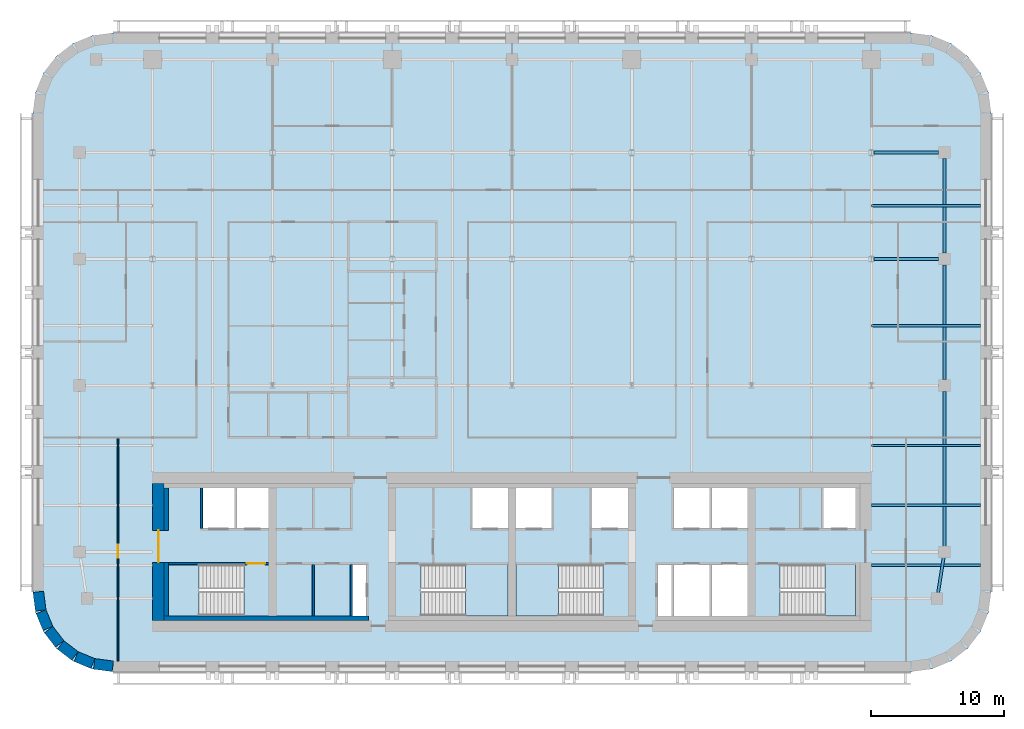
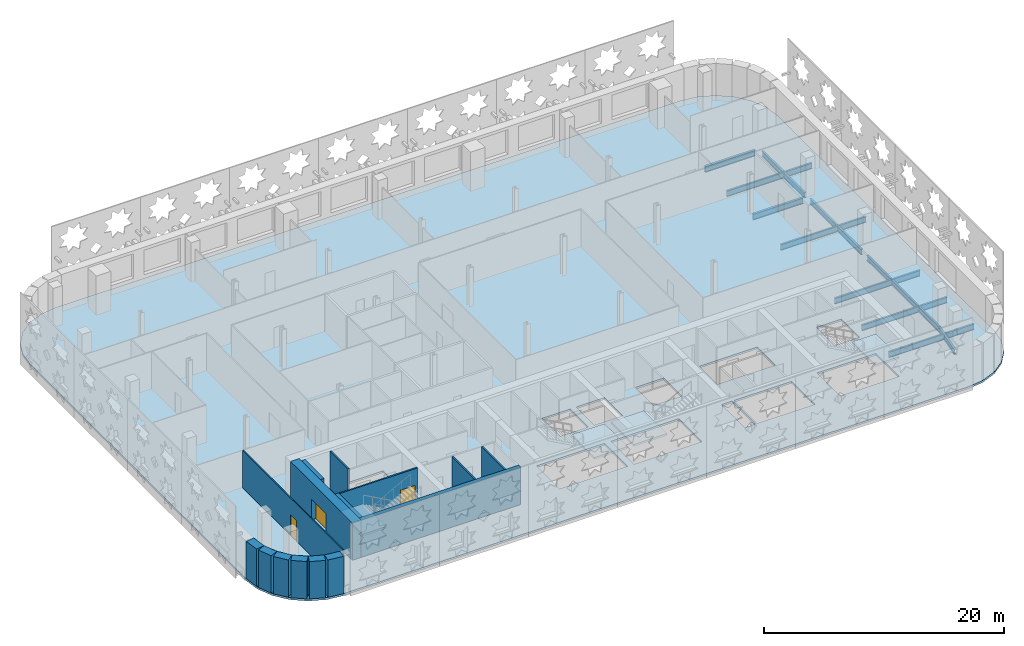
# One storey, part 2 of 13: 15 walls, 11 beams, 5 slabs, 3 doors, 3 openings, 4 elements without a shape of their own.
"""IFC4 building model written with IfcOpenShell, lengths in metres."""

from ifc_helpers import new_model, si_unit, direction, frame, frame_2d, origin, origin_2d, place, context, subcontext, project, spatial, polyline, rectangle, i_section, outline, extrude, material, layer, layer_set, material_profile, profile_set, type_object, element, fill, aggregate, save


model = new_model("IFC4")

# Units and contexts
model_context = context("Model", 3, precision=1e-05, world=origin(), true_north=direction((0.0, 1.0)))
body_context = subcontext(model_context, "Body", "Model", "MODEL_VIEW")
ifc_project = project(units=[si_unit("LENGTHUNIT", "METRE"), si_unit("AREAUNIT", "SQUARE_METRE"), si_unit("VOLUMEUNIT", "CUBIC_METRE"), si_unit("PLANEANGLEUNIT", "RADIAN"), si_unit("MASSUNIT", "GRAM", prefix="KILO")], contexts=[model_context])

# Site, building, storey
site_placement = place(None, origin())
site = spatial("IfcSite", under=ifc_project, at=site_placement, CompositionType="ELEMENT")
building_placement = place(site_placement, origin())
building = spatial("IfcBuilding", under=site, at=building_placement, Name="Zellij Exchange Tower", CompositionType="ELEMENT")
storey_placement = place(building_placement, frame((0.0, 0.0, 172.5)))
storey = spatial("IfcBuildingStorey", under=building, at=storey_placement, Name="L39", CompositionType="ELEMENT", Elevation=172.5)

# Beams
ifc_material_1 = material(Name="Structural steel ASTM A992 Gr 50", Category="steel")
ifc_material_profile_1 = material_profile(ifc_material_1, i_section(OverallWidth=0.177978515625, OverallDepth=0.599365234375, WebThickness=0.010009765625, FlangeThickness=0.012939453125, at=origin_2d()), Name="W24x55")
ifc_profile_set_1 = profile_set([ifc_material_profile_1], Name="Structural steel ASTM A992 Gr 50")
beam_type_1 = type_object("IfcBeamType", Name="STR-BEAM W24x55", PredefinedType="BEAM", material=ifc_profile_set_1)
for number, where, z_axis, x_axis, name in (
    (1, (27.0, -9.0, -0.499755859375), (1.0, 0.0, 0.0), (0.0, 1.0, 0.0), "B4"),
    (2, (27.0, -4.5, -0.499755859375), (1.0, 0.0, 0.0), (0.0, 1.0, 0.0), "B4"),
    (3, (27.0, 0.0, -0.499755859375), (1.0, 0.0, 0.0), (0.0, 1.0, 0.0), "B4"),
    (4, (27.0, 9.0, -0.499755859375), (1.0, 0.0, 0.0), (0.0, 1.0, 0.0), "B4"),
    (5, (27.0, 18.0, -0.499755859375), (1.0, 0.0, 0.0), (0.0, 1.0, 0.0), "B4"),
):
    element("IfcBeam", number, at=place(storey_placement, frame(where, z_axis=z_axis, x_axis=x_axis)), inside=storey, type_object=beam_type_1, Name=name, PredefinedType="BEAM", context=body_context, shape_type="SweptSolid", body=[
        extrude(i_section(OverallWidth=0.177978515625, OverallDepth=0.599365234375, WebThickness=0.010009765625, FlangeThickness=0.012939453125, at=origin_2d()), origin(), (0.0, 0.0, 1.0), 8.199951171875),
    ])
ifc_material_profile_2 = material_profile(ifc_material_1, i_section(OverallWidth=0.209228515625, OverallDepth=0.533447265625, WebThickness=0.01025390625, FlangeThickness=0.015625, at=origin_2d()), Name="W21x62")
ifc_profile_set_2 = profile_set([ifc_material_profile_2], Name="Structural steel ASTM A992 Gr 50")
beam_type_2 = type_object("IfcBeamType", Name="STR-EDGE GIRDER W21x62", PredefinedType="BEAM", material=ifc_profile_set_2)
beam_1_placement = place(storey_placement, frame((31.949951171875, -11.5, -0.466796875), z_axis=(0.155251283593, 0.987875011802, 0.0), x_axis=(-0.987875011802, 0.155251283593, 0.0)))
element("IfcBeam", 6, at=beam_1_placement, inside=storey, type_object=beam_type_2, Name="EB3", PredefinedType="BEAM", context=body_context, shape_type="SweptSolid", body=[
    extrude(i_section(OverallWidth=0.209228515625, OverallDepth=0.533447265625, WebThickness=0.01025390625, FlangeThickness=0.015625, at=origin_2d()), origin(), (0.0, 0.0, 1.0), 3.54296875),
])
beam_2_placement = place(storey_placement, frame((32.5, -8.0, -0.466796875), z_axis=(0.0, 1.0, 0.0), x_axis=(-1.0, 0.0, 0.0)))
element("IfcBeam", 7, at=beam_2_placement, inside=storey, type_object=beam_type_2, Name="EB3", PredefinedType="BEAM", context=body_context, shape_type="SweptSolid", body=[
    extrude(i_section(OverallWidth=0.209228515625, OverallDepth=0.533447265625, WebThickness=0.01025390625, FlangeThickness=0.015625, at=origin_2d()), origin(), (0.0, 0.0, 1.0), 12.050048828125),
])
beam_3_placement = place(storey_placement, frame((32.5, 4.949951171875, -0.466796875), z_axis=(0.0, 1.0, 0.0), x_axis=(-1.0, 0.0, 0.0)))
element("IfcBeam", 8, at=beam_3_placement, inside=storey, type_object=beam_type_2, Name="EB3", PredefinedType="BEAM", context=body_context, shape_type="SweptSolid", body=[
    extrude(i_section(OverallWidth=0.209228515625, OverallDepth=0.533447265625, WebThickness=0.01025390625, FlangeThickness=0.015625, at=origin_2d()), origin(), (0.0, 0.0, 1.0), 8.60009765625),
])
beam_4_placement = place(storey_placement, frame((32.5, 14.449951171875, -0.466796875), z_axis=(0.0, 1.0, 0.0), x_axis=(-1.0, 0.0, 0.0)))
element("IfcBeam", 9, at=beam_4_placement, inside=storey, type_object=beam_type_2, Name="EB3", PredefinedType="BEAM", context=body_context, shape_type="SweptSolid", body=[
    extrude(i_section(OverallWidth=0.209228515625, OverallDepth=0.533447265625, WebThickness=0.01025390625, FlangeThickness=0.015625, at=origin_2d()), origin(), (0.0, 0.0, 1.0), 7.10009765625),
])
ifc_material_profile_3 = material_profile(ifc_material_1, i_section(OverallWidth=0.228271484375, OverallDepth=0.607177734375, WebThickness=0.01123046875, FlangeThickness=0.017333984375, at=origin_2d()), Name="W24x76")
ifc_profile_set_3 = profile_set([ifc_material_profile_3], Name="Structural steel ASTM A992 Gr 50")
beam_type_3 = type_object("IfcBeamType", Name="STR-GIRDER W24x76", PredefinedType="BEAM", material=ifc_profile_set_3)
for number, where, z_axis, x_axis, name in (
    (10, (27.20458984375, 14.0, -0.50341796875), (1.0, 0.0, 0.0), (0.0, 1.0, 0.0), "G2"),
    (11, (27.20458984375, 22.0, -0.50341796875), (1.0, 0.0, 0.0), (0.0, 1.0, 0.0), "G2"),
):
    element("IfcBeam", number, at=place(storey_placement, frame(where, z_axis=z_axis, x_axis=x_axis)), inside=storey, type_object=beam_type_3, Name=name, PredefinedType="BEAM", context=body_context, shape_type="SweptSolid", body=[
        extrude(i_section(OverallWidth=0.228271484375, OverallDepth=0.607177734375, WebThickness=0.01123046875, FlangeThickness=0.017333984375, at=origin_2d()), origin(), (0.0, 0.0, 1.0), 4.845458984375),
    ])

# Stair, slab
ifc_material_2 = material(Name="Concrete C40/50", Category="concrete")
stair_type = type_object("IfcStairType", Name="CORE-ST exit stair 1850 wide", PredefinedType="HALF_TURN_STAIR", material=ifc_material_2)
stair_1_placement = place(storey_placement, origin())
stair_1 = element("IfcStair", 12, at=stair_1_placement, inside=storey, type_object=stair_type, Name="L39 exit stair ST1", PredefinedType="HALF_TURN_STAIR")
ifc_layer_1 = layer(ifc_material_2, 0.199951171875)
ifc_layer_set_1 = layer_set([ifc_layer_1], Name="Concrete C40/50")
slab_type_1 = type_object("IfcSlabType", Name="CORE-SL stair landing 200", PredefinedType="LANDING", material=ifc_layer_set_1)
slab_1_placement = place(storey_placement, frame((0.0, 0.0, 1.800048828125)))
slab_1 = element("IfcSlab", 13, at=slab_1_placement, type_object=slab_type_1, Name="ST1 landing 1", PredefinedType="LANDING", context=body_context, shape_type="SweptSolid", body=[
    extrude(outline(polyline([(-23.510009765625, -8.949951171875), (-25.800048828125, -8.949951171875), (-25.800048828125, -12.800048828125), (-23.510009765625, -12.800048828125), (-23.510009765625, -8.949951171875)])), origin(), (0.0, 0.0, 1.0), 0.199951171875),
])
aggregate(stair_1, [slab_1])

stair_2_placement = place(storey_placement, origin())
stair_2 = element("IfcStair", 14, at=stair_2_placement, inside=storey, type_object=stair_type, Name="L39 exit stair ST2", PredefinedType="HALF_TURN_STAIR")
slab_2_placement = place(storey_placement, frame((0.0, 0.0, 1.800048828125)))
slab_2 = element("IfcSlab", 15, at=slab_2_placement, type_object=slab_type_1, Name="ST2 landing 1", PredefinedType="LANDING", context=body_context, shape_type="SweptSolid", body=[
    extrude(outline(polyline([(-3.489990234375, -12.800048828125), (-0.300048828125, -12.800048828125), (-0.300048828125, -8.949951171875), (-3.489990234375, -8.949951171875), (-3.489990234375, -12.800048828125)])), origin(), (0.0, 0.0, 1.0), 0.199951171875),
])
aggregate(stair_2, [slab_2])

stair_3_placement = place(storey_placement, origin())
stair_3 = element("IfcStair", 16, at=stair_3_placement, inside=storey, type_object=stair_type, Name="L39 exit stair ST3", PredefinedType="HALF_TURN_STAIR")
slab_3_placement = place(storey_placement, frame((0.0, 0.0, 1.800048828125)))
slab_3 = element("IfcSlab", 17, at=slab_3_placement, type_object=slab_type_1, Name="ST3 landing 1", PredefinedType="LANDING", context=body_context, shape_type="SweptSolid", body=[
    extrude(outline(polyline([(3.489990234375, -8.949951171875), (0.300048828125, -8.949951171875), (0.300048828125, -12.800048828125), (3.489990234375, -12.800048828125), (3.489990234375, -8.949951171875)])), origin(), (0.0, 0.0, 1.0), 0.199951171875),
])
aggregate(stair_3, [slab_3])

stair_4_placement = place(storey_placement, origin())
stair_4 = element("IfcStair", 18, at=stair_4_placement, inside=storey, type_object=stair_type, Name="L39 exit stair ST4", PredefinedType="HALF_TURN_STAIR")
slab_4_placement = place(storey_placement, frame((0.0, 0.0, 1.800048828125)))
slab_4 = element("IfcSlab", 19, at=slab_4_placement, type_object=slab_type_1, Name="ST4 landing 1", PredefinedType="LANDING", context=body_context, shape_type="SweptSolid", body=[
    extrude(outline(polyline([(23.510009765625, -12.800048828125), (25.800048828125, -12.800048828125), (25.800048828125, -8.949951171875), (23.510009765625, -8.949951171875), (23.510009765625, -12.800048828125)])), origin(), (0.0, 0.0, 1.0), 0.199951171875),
])
aggregate(stair_4, [slab_4])

# Slab
ifc_layer_2 = layer(ifc_material_2, 0.199951171875)
ifc_layer_set_2 = layer_set([ifc_layer_2], Name="Concrete C40/50")
slab_type_2 = type_object("IfcSlabType", Name="STR-FLOOR SLAB 200 C40/50", PredefinedType="FLOOR", material=ifc_layer_set_2)
slab_5_placement = place(storey_placement, frame((0.0, 0.0, -0.2001953125)))
element("IfcSlab", 20, at=slab_5_placement, inside=storey, type_object=slab_type_2, Name="Floor L39", PredefinedType="FLOOR", context=body_context, shape_type="SweptSolid", body=[
    extrude(outline(polyline([(-30.0, -17.0), (-31.552978515625, -16.795654296875), (-33.0, -16.1962890625), (-34.24267578125, -15.24267578125), (-35.1962890625, -14.0), (-35.795654296875, -12.552978515625), (-36.0, -11.0), (-36.0, 25.0), (-35.795654296875, 26.552978515625), (-35.1962890625, 28.0), (-34.24267578125, 29.24267578125), (-33.0, 30.1962890625), (-31.552978515625, 30.795654296875), (-30.0, 31.0), (30.0, 31.0), (31.552978515625, 30.795654296875), (33.0, 30.1962890625), (34.24267578125, 29.24267578125), (35.1962890625, 28.0), (35.795654296875, 26.552978515625), (36.0, 25.0), (36.0, -11.0), (35.795654296875, -12.552978515625), (35.1962890625, -14.0), (34.24267578125, -15.24267578125), (33.0, -16.1962890625), (31.552978515625, -16.795654296875), (30.0, -17.0), (-30.0, -17.0)]), holes=[polyline([(-25.800048828125, -8.949951171875), (-25.800048828125, -12.800048828125), (-20.153076171875, -12.800048828125), (-20.153076171875, -8.949951171875), (-25.800048828125, -8.949951171875)]), polyline([(-10.949951171875, -8.949951171875), (-12.0, -8.949951171875), (-12.0, -12.800048828125), (-10.949951171875, -12.800048828125), (-10.949951171875, -8.949951171875)]), polyline([(-0.300048828125, -8.949951171875), (-6.846923828125, -8.949951171875), (-6.846923828125, -12.800048828125), (-0.300048828125, -12.800048828125), (-0.300048828125, -8.949951171875)]), polyline([(0.300048828125, -8.949951171875), (0.300048828125, -12.800048828125), (6.846923828125, -12.800048828125), (6.846923828125, -8.949951171875), (0.300048828125, -8.949951171875)]), polyline([(-18.300048828125, -3.199951171875), (-23.25, -3.199951171875), (-23.25, -6.22509765625), (-18.300048828125, -6.22509765625), (-18.300048828125, -3.199951171875)]), polyline([(-0.300048828125, -3.199951171875), (-3.0, -3.199951171875), (-3.0, -6.22509765625), (-0.300048828125, -6.22509765625), (-0.300048828125, -3.199951171875)]), polyline([(0.300048828125, -3.199951171875), (0.300048828125, -6.22509765625), (3.0, -6.22509765625), (3.0, -3.199951171875), (0.300048828125, -3.199951171875)]), polyline([(12.0, -8.949951171875), (10.949951171875, -8.949951171875), (10.949951171875, -12.800048828125), (12.0, -12.800048828125), (12.0, -8.949951171875)]), polyline([(17.699951171875, -8.949951171875), (12.14990234375, -8.949951171875), (12.14990234375, -12.800048828125), (17.699951171875, -12.800048828125), (17.699951171875, -8.949951171875)]), polyline([(25.800048828125, -8.949951171875), (20.153076171875, -8.949951171875), (20.153076171875, -12.800048828125), (25.800048828125, -12.800048828125), (25.800048828125, -8.949951171875)]), polyline([(8.699951171875, -3.199951171875), (6.0, -3.199951171875), (6.0, -6.22509765625), (8.699951171875, -6.22509765625), (8.699951171875, -3.199951171875)]), polyline([(17.699951171875, -3.199951171875), (12.14990234375, -3.199951171875), (12.14990234375, -6.22509765625), (17.699951171875, -6.22509765625), (17.699951171875, -3.199951171875)]), polyline([(25.800048828125, -3.199951171875), (23.39990234375, -3.199951171875), (23.39990234375, -6.22509765625), (25.800048828125, -6.22509765625), (25.800048828125, -3.199951171875)])]), origin(), (0.0, 0.0, 1.0), 0.2001953125),
])

# Walls
ifc_material_3 = material(Name="Concrete C30/37", Category="concrete")
ifc_layer_3 = layer(ifc_material_3, 0.35009765625)
ifc_layer_set_3 = layer_set([ifc_layer_3], Name="Concrete C30/37")
wall_type_1 = type_object("IfcWallType", Name="CORE-LW 350 C30/37", PredefinedType="SHEAR", material=ifc_layer_set_3)
wall_1_placement = place(storey_placement, frame((-26.14990234375, -12.97509765625, 0.0), z_axis=(0.0, 0.0, 1.0), x_axis=(1.0, 0.0, 0.0)))
element("IfcWall", 21, at=wall_1_placement, inside=storey, type_object=wall_type_1, Name="Core wall lining rear.0 L39", PredefinedType="SHEAR", context=body_context, shape_type="SweptSolid", body=[
    extrude(rectangle(XDim=15.349853515625, YDim=0.35009765625, at=frame_2d((7.6748046875, 0.0))), origin(), (0.0, 0.0, 1.0), 3.800048828125),
])
wall_2_placement = place(storey_placement, frame((-25.97509765625, -12.800048828125, 0.0), z_axis=(0.0, 0.0, 1.0), x_axis=(0.0, 1.0, 0.0)))
element("IfcWall", 22, at=wall_2_placement, inside=storey, type_object=wall_type_1, Name="Core wall lining end w.0 L39", PredefinedType="SHEAR", context=body_context, shape_type="SweptSolid", body=[
    extrude(rectangle(XDim=4.0, YDim=0.35009765625, at=frame_2d((2.0, 0.0))), origin(), (0.0, 0.0, 1.0), 3.800048828125),
])
wall_3_placement = place(storey_placement, frame((-25.97509765625, -6.375, 0.0), z_axis=(0.0, 0.0, 1.0), x_axis=(0.0, 1.0, 0.0)))
element("IfcWall", 23, at=wall_3_placement, inside=storey, type_object=wall_type_1, Name="Core wall lining end w.1 L39", PredefinedType="SHEAR", context=body_context, shape_type="SweptSolid", body=[
    extrude(rectangle(XDim=3.175048828125, YDim=0.35009765625, at=frame_2d((1.58740234375, 0.0))), origin(), (0.0, 0.0, 1.0), 3.800048828125),
])
ifc_material_4 = material(Name="Gypsum board partition")
ifc_layer_4 = layer(ifc_material_4, 0.14990234375)
ifc_layer_set_4 = layer_set([ifc_layer_4], Name="Gypsum board partition")
wall_type_2 = type_object("IfcWallType", Name="CORE-PW 150 Lift lobby wall", PredefinedType="PARTITIONING", material=ifc_layer_set_4)
for number, where, z_axis, x_axis, name in (
    (24, (-12.074951171875, -12.800048828125, 0.0), (0.0, 0.0, 1.0), (0.0, 1.0, 0.0), "Lift lobby wall L39"),
    (25, (-14.925048828125, -12.800048828125, 0.0), (0.0, 0.0, 1.0), (0.0, 1.0, 0.0), "Lift lobby wall L39"),
):
    element("IfcWall", number, at=place(storey_placement, frame(where, z_axis=z_axis, x_axis=x_axis)), inside=storey, type_object=wall_type_2, Name=name, PredefinedType="PARTITIONING", context=body_context, shape_type="SweptSolid", body=[
        extrude(rectangle(XDim=3.85009765625, YDim=0.14990234375, at=frame_2d((1.925048828125, 0.0))), origin(), (0.0, 0.0, 1.0), 3.800048828125),
    ])
ifc_material_5 = material(Name="Gypsum shaft wall system")
ifc_layer_5 = layer(ifc_material_5, 0.14990234375)
ifc_layer_set_5 = layer_set([ifc_layer_5], Name="Gypsum shaft wall system")
wall_type_3 = type_object("IfcWallType", Name="CORE-PW 150 Lift shaft wall", PredefinedType="PARTITIONING", material=ifc_layer_set_5)
wall_4_placement = place(storey_placement, frame((-23.324951171875, -6.22509765625, 0.0), z_axis=(0.0, 0.0, 1.0), x_axis=(0.0, 1.0, 0.0)))
element("IfcWall", 26, at=wall_4_placement, inside=storey, type_object=wall_type_3, Name="Lift shaft wall L39", PredefinedType="PARTITIONING", context=body_context, shape_type="SweptSolid", body=[
    extrude(rectangle(XDim=3.025146484375, YDim=0.14990234375, at=frame_2d((1.5126953125, 0.0))), origin(), (0.0, 0.0, 1.0), 3.800048828125),
])

# Wall, opening, door
ifc_material_6 = material(Name="Concrete C60/75", Category="concrete")
ifc_layer_6 = layer(ifc_material_6, 0.85009765625)
ifc_layer_set_6 = layer_set([ifc_layer_6], Name="Concrete C60/75")
wall_type_4 = type_object("IfcWallType", Name="CORE-SW 850 C60/75", PredefinedType="SHEAR", material=ifc_layer_set_6)
wall_5_placement = place(storey_placement, frame((-26.574951171875, -13.14990234375, 0.0), z_axis=(0.0, 0.0, 1.0), x_axis=(0.0, 1.0, 0.0)))
wall_5 = element("IfcWall", 27, at=wall_5_placement, inside=storey, type_object=wall_type_4, Name="Core shear wall end w L39", PredefinedType="SHEAR", context=body_context, shape_type="SweptSolid", body=[
    extrude(rectangle(XDim=10.2998046875, YDim=0.85009765625, at=frame_2d((5.14990234375, 0.0))), origin(), (0.0, 0.0, 1.0), 3.800048828125),
])
opening_1_placement = place(wall_5_placement, frame((4.362060546875, 0.0, 0.0)))
opening_1 = element("IfcOpeningElement", 28, at=opening_1_placement, cuts=wall_5, Name="Opening CA-22.01", PredefinedType="OPENING", context=body_context, shape_type="SweptSolid", body=[
    extrude(rectangle(XDim=2.39990234375, YDim=2.10009765625, at=frame_2d((1.199951171875, 1.050048828125))), frame((0.0, 0.43701171875, 0.0), z_axis=(0.0, -1.0, 0.0), x_axis=(1.0, 0.0, 0.0)), (0.0, 0.0, 1.0), 0.8740234375),
])
ifc_material_7 = material(Name="Hollow metal fire door")
door_type_1 = type_object("IfcDoorType", Name="CORE-D CE Core entrance door 2400x2100 20 MIN", OperationType="NOTDEFINED", PredefinedType="DOOR", material=ifc_material_7)
door_1_placement = place(opening_1_placement, origin())
door_1 = element("IfcDoor", 29, at=door_1_placement, inside=storey, type_object=door_type_1, Name="Core entrance door CA-22.01", OperationType="DOUBLE_DOOR_SINGLE_SWING", OverallHeight=2.10009765625, OverallWidth=2.39990234375, PredefinedType="DOOR", context=body_context, shape_type="SweptSolid", body=[
    extrude(rectangle(XDim=2.39990234375, YDim=2.10009765625, at=frame_2d((1.199951171875, 1.050048828125))), frame((0.0, 0.02490234375, 0.0), z_axis=(0.0, -1.0, 0.0), x_axis=(1.0, 0.0, 0.0)), (0.0, 0.0, 1.0), 0.050048828125),
])
fill(opening_1, door_1)

ifc_layer_7 = layer(ifc_material_6, 0.14990234375)
ifc_layer_set_7 = layer_set([ifc_layer_7], Name="Concrete C60/75")
wall_type_5 = type_object("IfcWallType", Name="CORE-SWS 150 C60/75", PredefinedType="SHEAR", material=ifc_layer_set_7)
wall_6_placement = place(storey_placement, frame((-25.800048828125, -8.875, 0.0), z_axis=(0.0, 0.0, 1.0), x_axis=(1.0, 0.0, 0.0)))
wall_6 = element("IfcWall", 30, at=wall_6_placement, inside=storey, type_object=wall_type_5, Name="Stair enclosure wall L39", PredefinedType="SHEAR", context=body_context, shape_type="SweptSolid", body=[
    extrude(rectangle(XDim=7.5, YDim=0.14990234375, at=frame_2d((3.75, 0.0))), origin(), (0.0, 0.0, 1.0), 3.800048828125),
])
opening_2_placement = place(wall_6_placement, frame((5.875, 0.0, 0.0)))
opening_2 = element("IfcOpeningElement", 31, at=opening_2_placement, cuts=wall_6, Name="Opening CA-22.04", PredefinedType="OPENING", context=body_context, shape_type="SweptSolid", body=[
    extrude(rectangle(XDim=1.39990234375, YDim=2.10009765625, at=frame_2d((0.699951171875, 1.050048828125))), frame((0.0, 0.0869140625, 0.0), z_axis=(0.0, -1.0, 0.0), x_axis=(1.0, 0.0, 0.0)), (0.0, 0.0, 1.0), 0.173828125),
])
door_type_2 = type_object("IfcDoorType", Name="CORE-D SD Stair door 1400x2100 1.5 HR", OperationType="NOTDEFINED", PredefinedType="DOOR", material=ifc_material_7)
door_2_placement = place(opening_2_placement, origin())
door_2 = element("IfcDoor", 32, at=door_2_placement, inside=storey, type_object=door_type_2, Name="Stair door CA-22.04", OperationType="DOUBLE_DOOR_SINGLE_SWING", OverallHeight=2.10009765625, OverallWidth=1.39990234375, PredefinedType="DOOR", context=body_context, shape_type="SweptSolid", body=[
    extrude(rectangle(XDim=1.39990234375, YDim=2.10009765625, at=frame_2d((0.699951171875, 1.050048828125))), frame((0.0, 0.02490234375, 0.0), z_axis=(0.0, -1.0, 0.0), x_axis=(1.0, 0.0, 0.0)), (0.0, 0.0, 1.0), 0.050048828125),
])
fill(opening_2, door_2)

# Walls
ifc_material_8 = material(Name="Precast concrete C40/50", Category="concrete")
ifc_layer_8 = layer(ifc_material_8, 0.800048828125)
ifc_layer_set_8 = layer_set([ifc_layer_8], Name="Precast concrete C40/50")
wall_type_6 = type_object("IfcWallType", Name="ENV-EW1 Precast stone-piered wall 800", PredefinedType="SOLIDWALL", material=ifc_layer_set_8)
wall_7_placement = place(storey_placement, frame((-35.5966796875, -10.999755859375, 0.0), z_axis=(0.0, 0.0, 1.0), x_axis=(0.130517283865, -0.99144603414, 0.0)))
element("IfcWall", 33, at=wall_7_placement, inside=storey, type_object=wall_type_6, Name="fac.L39.22", PredefinedType="SOLIDWALL", context=body_context, shape_type="SweptSolid", body=[
    extrude(rectangle(XDim=1.408447265625, YDim=0.800048828125, at=frame_2d((0.7041015625, 0.0))), origin(), (0.0, 0.0, 1.0), 3.800048828125),
])
wall_8_placement = place(storey_placement, frame((-35.3857421875, -12.497314453125, 0.0), z_axis=(0.0, 0.0, 1.0), x_axis=(0.38276009378, -0.923847774587, 0.0)))
element("IfcWall", 34, at=wall_8_placement, inside=storey, type_object=wall_type_6, Name="fac.L39.23", PredefinedType="SOLIDWALL", context=body_context, shape_type="SweptSolid", body=[
    extrude(rectangle(XDim=1.35546875, YDim=0.800048828125, at=frame_2d((0.677734375, 0.0))), origin(), (0.0, 0.0, 1.0), 3.800048828125),
])
for number, where, z_axis, x_axis, name in (
    (35, (-34.814697265625, -13.840087890625, 0.0), (0.0, 0.0, 1.0), (0.608866226366, -0.793272915452, 0.0), "fac.L39.24"),
    (36, (-33.91552734375, -14.9892578125, 0.0), (0.0, 0.0, 1.0), (0.793272915452, -0.608866226366, 0.0), "fac.L39.25"),
):
    element("IfcWall", number, at=place(storey_placement, frame(where, z_axis=z_axis, x_axis=x_axis)), inside=storey, type_object=wall_type_6, Name=name, PredefinedType="SOLIDWALL", context=body_context, shape_type="SweptSolid", body=[
        extrude(rectangle(XDim=1.355712890625, YDim=0.800048828125, at=frame_2d((0.677734375, 0.0))), origin(), (0.0, 0.0, 1.0), 3.800048828125),
    ])
wall_9_placement = place(storey_placement, frame((-32.74951171875, -15.866943359375, 0.0), z_axis=(0.0, 0.0, 1.0), x_axis=(0.923847774587, -0.38276009378, 0.0)))
element("IfcWall", 37, at=wall_9_placement, inside=storey, type_object=wall_type_6, Name="fac.L39.26", PredefinedType="SOLIDWALL", context=body_context, shape_type="SweptSolid", body=[
    extrude(rectangle(XDim=1.35546875, YDim=0.800048828125, at=frame_2d((0.677734375, 0.0))), origin(), (0.0, 0.0, 1.0), 3.800048828125),
])
wall_10_placement = place(storey_placement, frame((-31.396240234375, -16.412841796875, 0.0), z_axis=(0.0, 0.0, 1.0), x_axis=(0.99144603414, -0.130517283865, 0.0)))
element("IfcWall", 38, at=wall_10_placement, inside=storey, type_object=wall_type_6, Name="fac.L39.27", PredefinedType="SOLIDWALL", context=body_context, shape_type="SweptSolid", body=[
    extrude(rectangle(XDim=1.408447265625, YDim=0.800048828125, at=frame_2d((0.7041015625, 0.0))), origin(), (0.0, 0.0, 1.0), 3.800048828125),
])

# Wall, opening, door
ifc_material_9 = material(Name="Gypsum board partition on steel studs", Category="steel")
ifc_layer_9 = layer(ifc_material_9, 0.10009765625)
ifc_layer_set_9 = layer_set([ifc_layer_9], Name="Gypsum board partition on steel studs")
wall_type_7 = type_object("IfcWallType", Name="FIT-PARTITION-100", PredefinedType="PARTITIONING", material=ifc_layer_set_9)
wall_11_placement = place(storey_placement, frame((-29.60009765625, -16.199951171875, 0.0), z_axis=(0.0, 0.0, 1.0), x_axis=(0.0, 1.0, 0.0)))
wall_11 = element("IfcWall", 39, at=wall_11_placement, inside=storey, type_object=wall_type_7, Name="FIT-PARTITION-100 001", PredefinedType="PARTITIONING", context=body_context, shape_type="SweptSolid", body=[
    extrude(rectangle(XDim=16.75, YDim=0.10009765625, at=frame_2d((8.375, 0.0))), origin(), (0.0, 0.0, 1.0), 3.800048828125),
])
opening_3_placement = place(wall_11_placement, frame((7.75, 0.0, 0.0)))
opening_3 = element("IfcOpeningElement", 40, at=opening_3_placement, cuts=wall_11, Name="Opening O3A.01", PredefinedType="OPENING", context=body_context, shape_type="SweptSolid", body=[
    extrude(rectangle(XDim=1.0, YDim=2.10009765625, at=frame_2d((0.5, 1.050048828125))), frame((0.0, 0.06201171875, 0.0), z_axis=(0.0, -1.0, 0.0), x_axis=(1.0, 0.0, 0.0)), (0.0, 0.0, 1.0), 0.1240234375),
])
ifc_material_10 = material(Name="Timber door set", Category="wood")
door_type_3 = type_object("IfcDoorType", Name="FIT-D2-WIDE-1000X2100", OperationType="SINGLE_SWING_LEFT", PredefinedType="DOOR", material=ifc_material_10)
door_3_placement = place(opening_3_placement, origin())
door_3 = element("IfcDoor", 41, at=door_3_placement, inside=storey, type_object=door_type_3, Name="Door O3A.01", OperationType="SINGLE_SWING_RIGHT", OverallHeight=2.10009765625, OverallWidth=1.0, PredefinedType="DOOR", context=body_context, shape_type="SweptSolid", body=[
    extrude(rectangle(XDim=1.0, YDim=2.10009765625, at=frame_2d((0.5, 1.050048828125))), frame((0.0, 0.02490234375, 0.0), z_axis=(0.0, -1.0, 0.0), x_axis=(1.0, 0.0, 0.0)), (0.0, 0.0, 1.0), 0.050048828125),
])
fill(opening_3, door_3)

save(model, "model.ifc")
